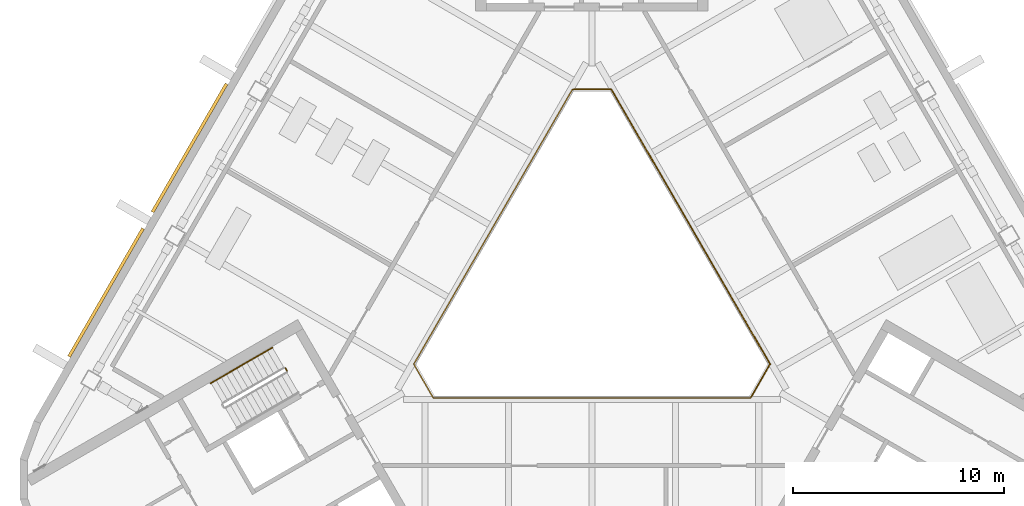
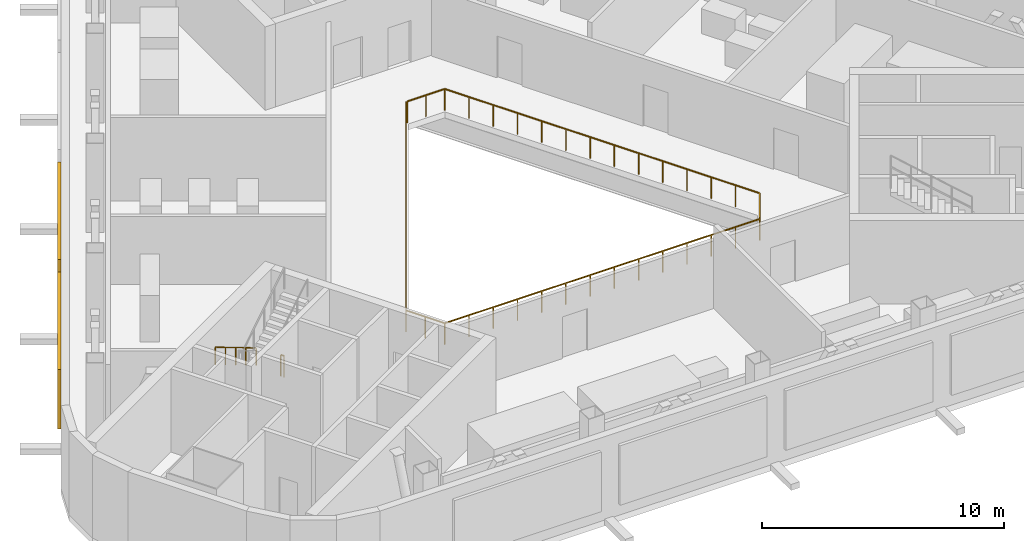
# One storey, part 12 of 15: 4 railings, 2 shading devices.
"""IFC4 building model written with IfcOpenShell, lengths in metres."""

import ifcopenshell
import ifcopenshell.guid

model = None  # the IFC model being written
_history = None  # IfcOwnerHistory: only IFC2X3 demands one
_inside = {}  # id of a spatial element -> (the spatial element, [elements in it])
_under = {}  # id of a project, library or spatial element -> (it, [spatial elements below it])
_declared = {}  # id of a project -> (the project, [libraries it declares])
_typed = {}  # id of a type object -> (the type object, [elements of that type])
_made_of = {}  # id of a material, layer set ... -> (it, [elements and type objects made of it])


def new_model(schema):
    """Start an empty IFC model of exactly this schema.

    Asked for "IFC4X3", IfcOpenShell would pick the latest addendum, in which some entities
    have other attributes; the version numbers below select the first issue.
    IFC2X3 requires an IfcOwnerHistory on every rooted entity: one is made here for all.
    """
    global model, _history
    if schema == "IFC4X3":
        model = ifcopenshell.file(schema_version=(4, 3, 0, 0))
    else:
        model = ifcopenshell.file(schema=schema)
    _inside.clear()
    _under.clear()
    _declared.clear()
    _typed.clear()
    _made_of.clear()
    _history = None
    if model.schema == "IFC2X3":
        org = make("IfcOrganization", Name="unknown")
        user = make(
            "IfcPersonAndOrganization",
            ThePerson=make("IfcPerson", FamilyName="unknown"),
            TheOrganization=org,
        )
        app = make(
            "IfcApplication",
            ApplicationDeveloper=org,
            Version="unknown",
            ApplicationFullName="unknown",
            ApplicationIdentifier="unknown",
        )
        _history = make(
            "IfcOwnerHistory",
            OwningUser=user,
            OwningApplication=app,
            ChangeAction="ADDED",
            CreationDate=0,
        )
    return model


def make(cls, **values):
    """One entity of the class cls with the attributes given. An attribute that is None is left unset."""
    return model.create_entity(
        cls, **{name: value for name, value in values.items() if value is not None}
    )


def rooted(cls, **values):
    """An entity with a GlobalId (a new one), such as an element, a storey or a relation."""
    return make(cls, GlobalId=ifcopenshell.guid.new(), OwnerHistory=_history, **values)


def si_unit(unit_type, name, prefix=None):
    """IfcSIUnit, for example si_unit("LENGTHUNIT", "METRE", prefix="MILLI")."""
    return make("IfcSIUnit", UnitType=unit_type, Prefix=prefix, Name=name)


def assignment(units):
    """IfcUnitAssignment: the units of a project."""
    return None if units is None else make("IfcUnitAssignment", Units=units)


def point(xyz):
    """IfcCartesianPoint."""
    return None if xyz is None else make("IfcCartesianPoint", Coordinates=xyz)


def direction(xyz):
    """IfcDirection."""
    return None if xyz is None else make("IfcDirection", DirectionRatios=xyz)


def frame(location, z_axis=None, x_axis=None):
    """IfcAxis2Placement3D, a coordinate frame: its origin and axes. An axis left out is left unset."""
    return make(
        "IfcAxis2Placement3D",
        Location=point(location),
        Axis=direction(z_axis),
        RefDirection=direction(x_axis),
    )


def frame_2d(location, x_axis=None):
    """IfcAxis2Placement2D, a coordinate frame in the plane: its origin and x axis."""
    return make(
        "IfcAxis2Placement2D", Location=point(location), RefDirection=direction(x_axis)
    )


def origin():
    """The frame at (0, 0, 0) with its axes left unset."""
    return frame((0.0, 0.0, 0.0))


def origin_2d():
    """The frame at (0, 0) in the plane with its x axis left unset."""
    return frame_2d((0.0, 0.0))


def place(relative_to, where):
    """IfcLocalPlacement: puts the frame where relative to a parent placement (None: the world)."""
    return make(
        "IfcLocalPlacement", PlacementRelTo=relative_to, RelativePlacement=where
    )


def context(
    kind, dimensions, precision=None, world=None, true_north=None, identifier=None
):
    """IfcGeometricRepresentationContext, for example the 3D "Model" context."""
    return make(
        "IfcGeometricRepresentationContext",
        ContextIdentifier=identifier,
        ContextType=kind,
        CoordinateSpaceDimension=dimensions,
        Precision=precision,
        WorldCoordinateSystem=world,
        TrueNorth=true_north,
    )


def subcontext(parent, identifier, kind, view, scale=None):
    """IfcGeometricRepresentationSubContext, for example "Body" below "Model"."""
    return make(
        "IfcGeometricRepresentationSubContext",
        ContextIdentifier=identifier,
        ContextType=kind,
        ParentContext=parent,
        TargetScale=scale,
        TargetView=view,
    )


def project(units=None, contexts=None):
    """IfcProject with its units and contexts."""
    return rooted(
        "IfcProject",
        Name="project",
        RepresentationContexts=contexts,
        UnitsInContext=assignment(units),
    )


def spatial(cls, under=None, at=None, **own):
    """A site, building, storey or space (cls), placed at a placement, below another one or the project."""
    s = rooted(cls, ObjectPlacement=at, **own)
    if under is not None:
        _under.setdefault(under.id(), (under, []))[1].append(s)
    return s


def profile(cls, at=None, kind="AREA", **sizes):
    """A parametric profile (cls). Its sizes go by their IFC names, for example OverallWidth=200.0."""
    return make(cls, ProfileType=kind, Position=at, **sizes)


def rectangle(**sizes):
    """IfcRectangleProfileDef."""
    return profile("IfcRectangleProfileDef", **sizes)


def circle(**sizes):
    """IfcCircleProfileDef."""
    return profile("IfcCircleProfileDef", **sizes)


def extrude(swept, where, along, depth):
    """IfcExtrudedAreaSolid: the profile swept, set in the frame where, extruded along a direction by depth."""
    return make(
        "IfcExtrudedAreaSolid",
        SweptArea=swept,
        Position=where,
        ExtrudedDirection=direction(along),
        Depth=depth,
    )


def shape(context_of_items, identifier, shape_type, items):
    """IfcShapeRepresentation: the items that make up one representation, for example the "Body"."""
    return make(
        "IfcShapeRepresentation",
        ContextOfItems=context_of_items,
        RepresentationIdentifier=identifier,
        RepresentationType=shape_type,
        Items=items,
    )


def material(Name=None, Category=None):
    """IfcMaterial."""
    return make("IfcMaterial", Name=Name, Category=Category)


def made_of(thing, what):
    """Note that an element or type object is made of a material, layer set ...; save() writes the relation."""
    if what is not None:
        _made_of.setdefault(what.id(), (what, []))[1].append(thing)
    return thing


def type_object(cls, material=None, **own):
    """A type object (cls), such as IfcWallType, which elements share."""
    return made_of(rooted(cls, **own), material)


def element(
    cls,
    number,
    at=None,
    inside=None,
    cuts=None,
    type_object=None,
    material=None,
    context=None,
    identifier="Body",
    shape_type=None,
    held_by="IfcProductDefinitionShape",
    body=None,
    shapes=None,
    **own,
):
    """One element of the class cls, such as IfcWall. Its Tag is "e" and its number.

    at: its placement. inside: the storey or other place that contains it. cuts: it is an
    opening in that element (IfcRelVoidsElement). A single representation is given by context,
    identifier, shape_type and body (its items); several are given by shapes. held_by: the class
    of the entity that holds the representations. save() writes the other relations.
    """
    e = rooted(cls, Tag="e%d" % number, ObjectPlacement=at, **own)
    if body is not None:
        shapes = [shape(context, identifier, shape_type, body)]
    if shapes is not None:
        e.Representation = make(held_by, Representations=shapes)
    if inside is not None:
        _inside.setdefault(inside.id(), (inside, []))[1].append(e)
    if cuts is not None:
        rooted(
            "IfcRelVoidsElement", RelatingBuildingElement=cuts, RelatedOpeningElement=e
        )
    if type_object is not None:
        _typed.setdefault(type_object.id(), (type_object, []))[1].append(e)
    return made_of(e, material)


def aggregate(whole, parts):
    """IfcRelAggregates: a whole, such as a stair, and the parts it consists of."""
    return rooted("IfcRelAggregates", RelatingObject=whole, RelatedObjects=parts)


def save(model, path):
    """Write the relations noted so far, then the file.

    IfcRelAggregates (storeys below a building ...), IfcRelContainedInSpatialStructure (elements
    in a storey), IfcRelDefinesByType, IfcRelAssociatesMaterial and IfcRelDeclares: one each for
    every whole, place, type object, material and project.
    """
    for whole, parts in _under.values():
        aggregate(whole, parts)
    for where, things in _inside.values():
        rooted(
            "IfcRelContainedInSpatialStructure",
            RelatedElements=things,
            RelatingStructure=where,
        )
    for kind, things in _typed.values():
        rooted("IfcRelDefinesByType", RelatedObjects=things, RelatingType=kind)
    for what, things in _made_of.values():
        rooted("IfcRelAssociatesMaterial", RelatedObjects=things, RelatingMaterial=what)
    for by, libraries in _declared.values():
        rooted("IfcRelDeclares", RelatingContext=by, RelatedDefinitions=libraries)
    model.write(path)


model = new_model("IFC4")

# Units and contexts
model_context = context("Model", 3, precision=1e-05, world=origin(), true_north=direction((0.0, 1.0)))
body_context = subcontext(model_context, "Body", "Model", "MODEL_VIEW")
ifc_project = project(units=[si_unit("LENGTHUNIT", "METRE"), si_unit("AREAUNIT", "SQUARE_METRE"), si_unit("VOLUMEUNIT", "CUBIC_METRE"), si_unit("PLANEANGLEUNIT", "RADIAN"), si_unit("MASSUNIT", "GRAM", prefix="KILO")], contexts=[model_context])

# Site, building, storey
site_placement = place(None, origin())
site = spatial("IfcSite", under=ifc_project, at=site_placement, CompositionType="ELEMENT")
building_placement = place(site_placement, origin())
building = spatial("IfcBuilding", under=site, at=building_placement, Name="Apuvela Tower Hotel", CompositionType="ELEMENT")
storey_placement = place(building_placement, frame((0.0, 0.0, 237.699951171875)))
storey = spatial("IfcBuildingStorey", under=building, at=storey_placement, Name="L58 Plant", CompositionType="ELEMENT", Elevation=237.699951171875)

# Railings
ifc_material_1 = material(Name="Steel S275 balustrade", Category="steel")
railing_type_1 = type_object("IfcRailingType", Name="COR-GUARD-1100", PredefinedType="GUARDRAIL", material=ifc_material_1)
railing_1_placement = place(storey_placement, frame((-14.500732421875, -3.984130859375, 0.0)))
element("IfcRailing", 1, at=railing_1_placement, inside=storey, type_object=railing_type_1, Name="L58 Plant ST2 stair guard 4", PredefinedType="GUARDRAIL", context=body_context, shape_type="SweptSolid", body=[
    extrude(rectangle(XDim=0.048095703125, YDim=0.048095703125, at=origin_2d()), frame((0.0, 0.0, 1.076171875), z_axis=(0.499816412211, -0.866131372301, 0.0), x_axis=(0.866131372301, 0.499816412211, 0.0)), (0.0, 0.0, 1.0), 0.14990234375),
    extrude(rectangle(XDim=0.0419921875, YDim=0.0419921875, at=origin_2d()), origin(), (0.0, 0.0, 1.0), 1.052001953125),
    extrude(rectangle(XDim=0.0419921875, YDim=0.0419921875, at=origin_2d()), frame((0.074951171875, -0.1298828125, 0.0)), (0.0, 0.0, 1.0), 1.052001953125),
])
ifc_material_2 = material(Name="Stainless steel 316 handrail", Category="steel")
railing_type_2 = type_object("IfcRailingType", Name="COR-HANDRAIL-900", PredefinedType="HANDRAIL", material=ifc_material_2)
railing_2_placement = place(storey_placement, frame((-15.118896484375, -3.01318359375, 0.173095703125)))
element("IfcRailing", 2, at=railing_2_placement, inside=storey, type_object=railing_type_2, Name="L58 Plant ST2 stair handrail 1", PredefinedType="HANDRAIL", context=body_context, shape_type="SweptSolid", body=[
    extrude(circle(Radius=0.02392578125, at=origin_2d()), frame((0.0, 0.0, 0.8759765625), z_axis=(-0.736667954249, -0.425288379326, 0.525785240943), x_axis=(0.499976138585, -0.866039179741, 0.0)), (0.0, 0.0, 1.0), 3.9501953125),
    extrude(rectangle(XDim=0.0419921875, YDim=0.0419921875, at=origin_2d()), origin(), (0.0, 0.0, 1.0), 0.851806640625),
    extrude(rectangle(XDim=0.0419921875, YDim=0.0419921875, at=origin_2d()), frame((-0.7275390625, -0.419921875, 0.519287109375)), (0.0, 0.0, 1.0), 0.851806640625),
    extrude(rectangle(XDim=0.0419921875, YDim=0.0419921875, at=origin_2d()), frame((-1.455078125, -0.83984375, 1.03857421875)), (0.0, 0.0, 1.0), 0.851806640625),
    extrude(rectangle(XDim=0.0419921875, YDim=0.0419921875, at=origin_2d()), frame((-2.182373046875, -1.260009765625, 1.5576171875)), (0.0, 0.0, 1.0), 0.851806640625),
    extrude(rectangle(XDim=0.0419921875, YDim=0.0419921875, at=origin_2d()), frame((-2.909912109375, -1.679931640625, 2.076904296875)), (0.0, 0.0, 1.0), 0.851806640625),
])
ifc_material_3 = material(Name="Stainless steel 316 rail with laminated glass infill", Category="steel")
railing_type_3 = type_object("IfcRailingType", Name="ENV-GUARD-1100", PredefinedType="GUARDRAIL", material=ifc_material_3)
railing_3_placement = place(storey_placement, frame((-0.923828125, 9.199951171875, 0.0)))
element("IfcRailing", 3, at=railing_3_placement, inside=storey, type_object=railing_type_3, Name="Atrium void guard A L58 Plant", PredefinedType="GUARDRAIL", context=body_context, shape_type="SweptSolid", body=[
    extrude(rectangle(XDim=0.050048828125, YDim=0.050048828125, at=origin_2d()), frame((0.0, 0.0, 1.0751953125), z_axis=(-0.499990886379, -0.866030665472, 0.0), x_axis=(0.866030665472, -0.499990886379, 0.0)), (0.0, 0.0, 1.0), 15.010986328125),
    extrude(rectangle(XDim=0.050048828125, YDim=0.050048828125, at=origin_2d()), frame((-7.50537109375, -13.0, 1.0751953125), z_axis=(0.499962699187, -0.866046938348, 0.0), x_axis=(0.866046938348, 0.499962699187, 0.0)), (0.0, 0.0, 1.0), 1.847412109375),
    extrude(rectangle(XDim=0.050048828125, YDim=0.050048828125, at=origin_2d()), frame((-6.581787109375, -14.599853515625, 1.0751953125), z_axis=(1.0, 0.0, 0.0), x_axis=(0.0, 1.0, 0.0)), (0.0, 0.0, 1.0), 15.01123046875),
    extrude(rectangle(XDim=0.0400390625, YDim=0.0400390625, at=origin_2d()), origin(), (0.0, 0.0, 1.0), 1.050048828125),
    extrude(rectangle(XDim=0.0400390625, YDim=0.0400390625, at=origin_2d()), frame((-0.577392578125, -1.0, 0.0)), (0.0, 0.0, 1.0), 1.050048828125),
    extrude(rectangle(XDim=0.0400390625, YDim=0.0400390625, at=origin_2d()), frame((-1.15478515625, -2.0, 0.0)), (0.0, 0.0, 1.0), 1.050048828125),
    extrude(rectangle(XDim=0.0400390625, YDim=0.0400390625, at=origin_2d()), frame((-1.73193359375, -3.0, 0.0)), (0.0, 0.0, 1.0), 1.050048828125),
    extrude(rectangle(XDim=0.0400390625, YDim=0.0400390625, at=origin_2d()), frame((-2.309326171875, -4.0, 0.0)), (0.0, 0.0, 1.0), 1.050048828125),
    extrude(rectangle(XDim=0.0400390625, YDim=0.0400390625, at=origin_2d()), frame((-2.88671875, -5.0, 0.0)), (0.0, 0.0, 1.0), 1.050048828125),
    extrude(rectangle(XDim=0.0400390625, YDim=0.0400390625, at=origin_2d()), frame((-3.464111328125, -6.0, 0.0)), (0.0, 0.0, 1.0), 1.050048828125),
    extrude(rectangle(XDim=0.0400390625, YDim=0.0400390625, at=origin_2d()), frame((-4.041259765625, -7.0, 0.0)), (0.0, 0.0, 1.0), 1.050048828125),
    extrude(rectangle(XDim=0.0400390625, YDim=0.0400390625, at=origin_2d()), frame((-4.61865234375, -8.0, 0.0)), (0.0, 0.0, 1.0), 1.050048828125),
    extrude(rectangle(XDim=0.0400390625, YDim=0.0400390625, at=origin_2d()), frame((-5.196044921875, -9.0, 0.0)), (0.0, 0.0, 1.0), 1.050048828125),
    extrude(rectangle(XDim=0.0400390625, YDim=0.0400390625, at=origin_2d()), frame((-5.7734375, -10.0, 0.0)), (0.0, 0.0, 1.0), 1.050048828125),
    extrude(rectangle(XDim=0.0400390625, YDim=0.0400390625, at=origin_2d()), frame((-6.3505859375, -11.0, 0.0)), (0.0, 0.0, 1.0), 1.050048828125),
    extrude(rectangle(XDim=0.0400390625, YDim=0.0400390625, at=origin_2d()), frame((-6.927978515625, -12.0, 0.0)), (0.0, 0.0, 1.0), 1.050048828125),
    extrude(rectangle(XDim=0.0400390625, YDim=0.0400390625, at=origin_2d()), frame((-7.50537109375, -13.0, 0.0)), (0.0, 0.0, 1.0), 1.050048828125),
    extrude(rectangle(XDim=0.0400390625, YDim=0.0400390625, at=origin_2d()), frame((-7.04345703125, -13.7998046875, 0.0)), (0.0, 0.0, 1.0), 1.050048828125),
    extrude(rectangle(XDim=0.0400390625, YDim=0.0400390625, at=origin_2d()), frame((-6.581787109375, -14.599853515625, 0.0)), (0.0, 0.0, 1.0), 1.050048828125),
    extrude(rectangle(XDim=0.0400390625, YDim=0.0400390625, at=origin_2d()), frame((-5.427001953125, -14.599853515625, 0.0)), (0.0, 0.0, 1.0), 1.050048828125),
    extrude(rectangle(XDim=0.0400390625, YDim=0.0400390625, at=origin_2d()), frame((-4.2724609375, -14.599853515625, 0.0)), (0.0, 0.0, 1.0), 1.050048828125),
    extrude(rectangle(XDim=0.0400390625, YDim=0.0400390625, at=origin_2d()), frame((-3.11767578125, -14.599853515625, 0.0)), (0.0, 0.0, 1.0), 1.050048828125),
    extrude(rectangle(XDim=0.0400390625, YDim=0.0400390625, at=origin_2d()), frame((-1.962890625, -14.599853515625, 0.0)), (0.0, 0.0, 1.0), 1.050048828125),
    extrude(rectangle(XDim=0.0400390625, YDim=0.0400390625, at=origin_2d()), frame((-0.808349609375, -14.599853515625, 0.0)), (0.0, 0.0, 1.0), 1.050048828125),
    extrude(rectangle(XDim=0.0400390625, YDim=0.0400390625, at=origin_2d()), frame((0.346435546875, -14.599853515625, 0.0)), (0.0, 0.0, 1.0), 1.050048828125),
    extrude(rectangle(XDim=0.0400390625, YDim=0.0400390625, at=origin_2d()), frame((1.501220703125, -14.599853515625, 0.0)), (0.0, 0.0, 1.0), 1.050048828125),
    extrude(rectangle(XDim=0.0400390625, YDim=0.0400390625, at=origin_2d()), frame((2.656005859375, -14.599853515625, 0.0)), (0.0, 0.0, 1.0), 1.050048828125),
    extrude(rectangle(XDim=0.0400390625, YDim=0.0400390625, at=origin_2d()), frame((3.810546875, -14.599853515625, 0.0)), (0.0, 0.0, 1.0), 1.050048828125),
    extrude(rectangle(XDim=0.0400390625, YDim=0.0400390625, at=origin_2d()), frame((4.96533203125, -14.599853515625, 0.0)), (0.0, 0.0, 1.0), 1.050048828125),
    extrude(rectangle(XDim=0.0400390625, YDim=0.0400390625, at=origin_2d()), frame((6.1201171875, -14.599853515625, 0.0)), (0.0, 0.0, 1.0), 1.050048828125),
    extrude(rectangle(XDim=0.0400390625, YDim=0.0400390625, at=origin_2d()), frame((7.274658203125, -14.599853515625, 0.0)), (0.0, 0.0, 1.0), 1.050048828125),
    extrude(rectangle(XDim=0.0400390625, YDim=0.0400390625, at=origin_2d()), frame((8.429443359375, -14.599853515625, 0.0)), (0.0, 0.0, 1.0), 1.050048828125),
])
railing_4_placement = place(storey_placement, frame((7.53564453125, -5.347900390625, 0.0)))
element("IfcRailing", 4, at=railing_4_placement, inside=storey, type_object=railing_type_3, Name="Atrium void guard B L58 Plant", PredefinedType="GUARDRAIL", context=body_context, shape_type="SweptSolid", body=[
    extrude(rectangle(XDim=0.050048828125, YDim=0.050048828125, at=origin_2d()), frame((0.0, 0.0, 1.0751953125), z_axis=(0.499958946799, 0.866049104564, 0.0), x_axis=(-0.866049104564, 0.499958946799, 0.0)), (0.0, 0.0, 1.0), 1.787353515625),
    extrude(rectangle(XDim=0.050048828125, YDim=0.050048828125, at=origin_2d()), frame((0.8935546875, 1.5478515625, 1.0751953125), z_axis=(-0.499990886379, 0.866030665472, 0.0), x_axis=(-0.866030665472, -0.499990886379, 0.0)), (0.0, 0.0, 1.0), 15.010986328125),
    extrude(rectangle(XDim=0.050048828125, YDim=0.050048828125, at=origin_2d()), frame((-6.61181640625, 14.5478515625, 1.0751953125), z_axis=(-1.0, 0.0, 0.0), x_axis=(0.0, -1.0, 0.0)), (0.0, 0.0, 1.0), 1.78759765625),
    extrude(rectangle(XDim=0.0400390625, YDim=0.0400390625, at=origin_2d()), origin(), (0.0, 0.0, 1.0), 1.050048828125),
    extrude(rectangle(XDim=0.0400390625, YDim=0.0400390625, at=origin_2d()), frame((0.44677734375, 0.77392578125, 0.0)), (0.0, 0.0, 1.0), 1.050048828125),
    extrude(rectangle(XDim=0.0400390625, YDim=0.0400390625, at=origin_2d()), frame((0.8935546875, 1.5478515625, 0.0)), (0.0, 0.0, 1.0), 1.050048828125),
    extrude(rectangle(XDim=0.0400390625, YDim=0.0400390625, at=origin_2d()), frame((0.316162109375, 2.5478515625, 0.0)), (0.0, 0.0, 1.0), 1.050048828125),
    extrude(rectangle(XDim=0.0400390625, YDim=0.0400390625, at=origin_2d()), frame((-0.26123046875, 3.5478515625, 0.0)), (0.0, 0.0, 1.0), 1.050048828125),
    extrude(rectangle(XDim=0.0400390625, YDim=0.0400390625, at=origin_2d()), frame((-0.83837890625, 4.5478515625, 0.0)), (0.0, 0.0, 1.0), 1.050048828125),
    extrude(rectangle(XDim=0.0400390625, YDim=0.0400390625, at=origin_2d()), frame((-1.415771484375, 5.5478515625, 0.0)), (0.0, 0.0, 1.0), 1.050048828125),
    extrude(rectangle(XDim=0.0400390625, YDim=0.0400390625, at=origin_2d()), frame((-1.9931640625, 6.5478515625, 0.0)), (0.0, 0.0, 1.0), 1.050048828125),
    extrude(rectangle(XDim=0.0400390625, YDim=0.0400390625, at=origin_2d()), frame((-2.570556640625, 7.5478515625, 0.0)), (0.0, 0.0, 1.0), 1.050048828125),
    extrude(rectangle(XDim=0.0400390625, YDim=0.0400390625, at=origin_2d()), frame((-3.147705078125, 8.5478515625, 0.0)), (0.0, 0.0, 1.0), 1.050048828125),
    extrude(rectangle(XDim=0.0400390625, YDim=0.0400390625, at=origin_2d()), frame((-3.72509765625, 9.5478515625, 0.0)), (0.0, 0.0, 1.0), 1.050048828125),
    extrude(rectangle(XDim=0.0400390625, YDim=0.0400390625, at=origin_2d()), frame((-4.302490234375, 10.5478515625, 0.0)), (0.0, 0.0, 1.0), 1.050048828125),
    extrude(rectangle(XDim=0.0400390625, YDim=0.0400390625, at=origin_2d()), frame((-4.8798828125, 11.5478515625, 0.0)), (0.0, 0.0, 1.0), 1.050048828125),
    extrude(rectangle(XDim=0.0400390625, YDim=0.0400390625, at=origin_2d()), frame((-5.45703125, 12.5478515625, 0.0)), (0.0, 0.0, 1.0), 1.050048828125),
    extrude(rectangle(XDim=0.0400390625, YDim=0.0400390625, at=origin_2d()), frame((-6.034423828125, 13.5478515625, 0.0)), (0.0, 0.0, 1.0), 1.050048828125),
    extrude(rectangle(XDim=0.0400390625, YDim=0.0400390625, at=origin_2d()), frame((-6.61181640625, 14.5478515625, 0.0)), (0.0, 0.0, 1.0), 1.050048828125),
    extrude(rectangle(XDim=0.0400390625, YDim=0.0400390625, at=origin_2d()), frame((-7.505615234375, 14.5478515625, 0.0)), (0.0, 0.0, 1.0), 1.050048828125),
    extrude(rectangle(XDim=0.0400390625, YDim=0.0400390625, at=origin_2d()), frame((-8.3994140625, 14.5478515625, 0.0)), (0.0, 0.0, 1.0), 1.050048828125),
])

# Shading devices
ifc_material_4 = material(Name="Aluminium 6063-T6, black anodised louvre blades", Category="aluminium")
shading_device_type = type_object("IfcShadingDeviceType", Name="ENV-LOUVRE-SCREEN", PredefinedType="USERDEFINED", material=ifc_material_4)
for number, where, z_axis, x_axis, name in (
    (5, (-19.0400390625, 6.431640625, 0.60009765625), (0.0, 0.0, 1.0), (-0.5, -0.866025403784, 0.0), "Plant louvre NW11"),
    (6, (-22.989990234375, -0.409912109375, 0.60009765625), (0.0, 0.0, 1.0), (-0.5, -0.866025403784, 0.0), "Plant louvre NW12"),
):
    element("IfcShadingDevice", number, at=place(storey_placement, frame(where, z_axis=z_axis, x_axis=x_axis)), inside=storey, type_object=shading_device_type, Name=name, ObjectType="LOUVRE", PredefinedType="USERDEFINED", context=body_context, shape_type="SweptSolid", body=[
        extrude(rectangle(XDim=7.0, YDim=0.14990234375, at=origin_2d()), origin(), (0.0, 0.0, 1.0), 3.0),
    ])

save(model, "model.ifc")
